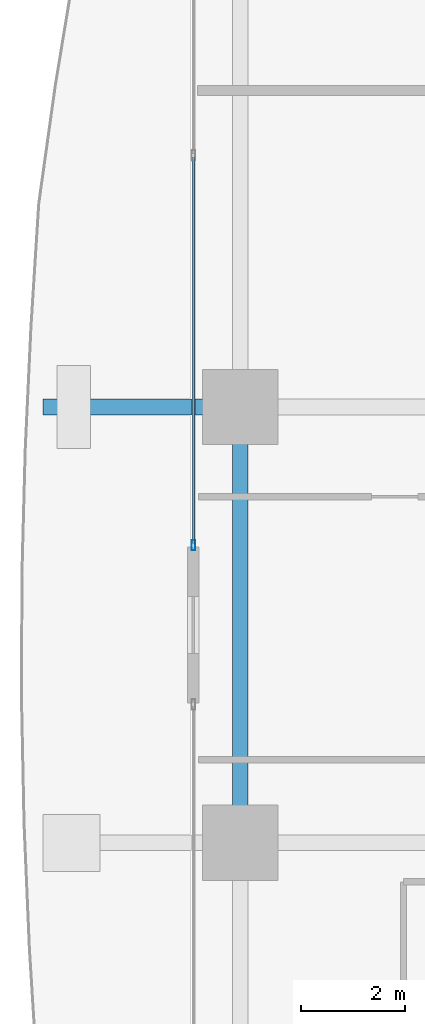
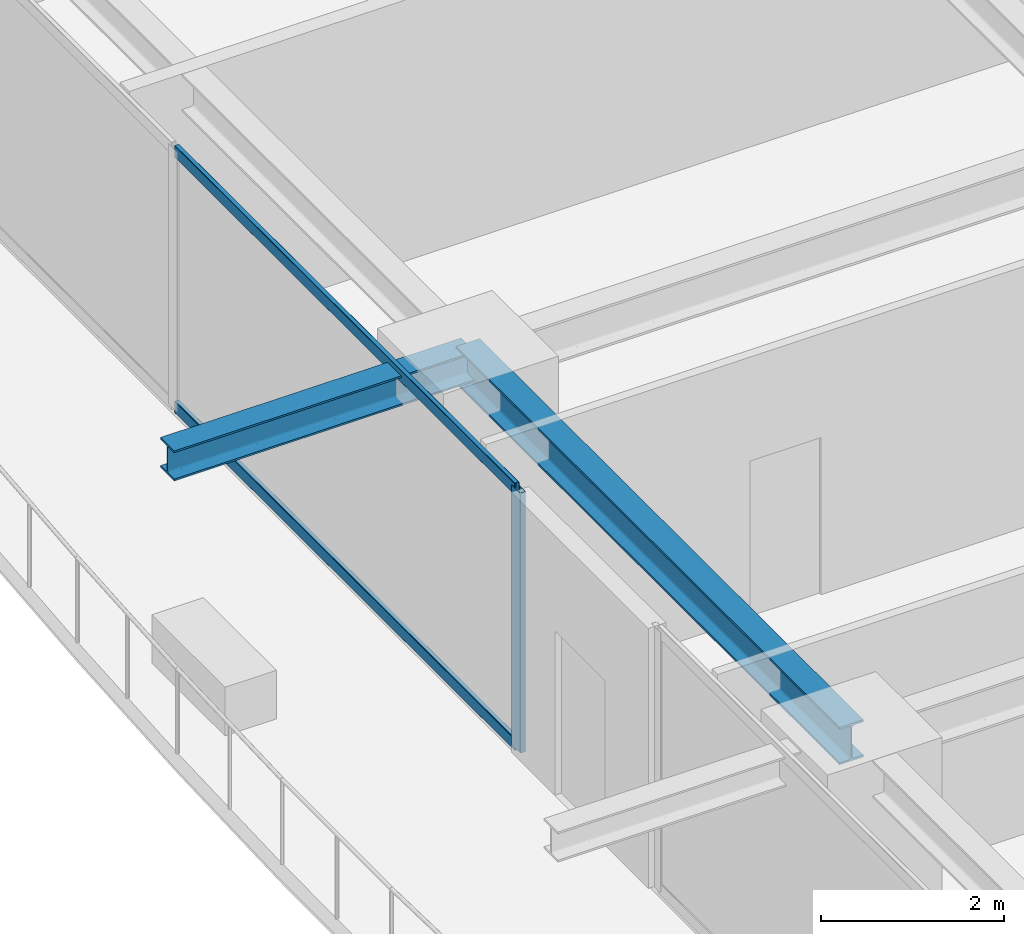
# One storey, part 8 of 36: 3 members, 2 beams, 1 element without a shape of its own.
"""IFC4 building model written with IfcOpenShell, lengths in metres."""

from ifc_helpers import new_model, si_unit, direction, frame, origin, origin_2d, place, context, subcontext, project, spatial, hollow_rectangle, i_section, extrude, source, transform, mapped, material, layer, layer_set, material_profile, profile_set, type_object, element, aggregate, save


model = new_model("IFC4")

# Units and contexts
model_context = context("Model", 3, precision=1e-05, world=origin(), true_north=direction((0.0, 1.0)))
body_context = subcontext(model_context, "Body", "Model", "MODEL_VIEW")
ifc_project = project(units=[si_unit("LENGTHUNIT", "METRE"), si_unit("AREAUNIT", "SQUARE_METRE"), si_unit("VOLUMEUNIT", "CUBIC_METRE"), si_unit("PLANEANGLEUNIT", "RADIAN"), si_unit("MASSUNIT", "GRAM", prefix="KILO")], contexts=[model_context])

# Site, building, storey
site_placement = place(None, origin())
site = spatial("IfcSite", under=ifc_project, at=site_placement, CompositionType="ELEMENT")
building_placement = place(site_placement, origin())
building = spatial("IfcBuilding", under=site, at=building_placement, Name="Serunith Strait Residences", CompositionType="ELEMENT")
storey_placement = place(building_placement, frame((0.0, 0.0, 41.699951171875)))
storey = spatial("IfcBuildingStorey", under=building, at=storey_placement, Name="L09", CompositionType="ELEMENT", Elevation=41.699951171875)

# Beams
ifc_material_1 = material(Name="Steel S355J2", Category="steel")
ifc_material_profile_1 = material_profile(ifc_material_1, i_section(OverallWidth=0.300048828125, OverallDepth=0.5, WebThickness=0.014404296875, FlangeThickness=0.028076171875, FilletRadius=0.027099609375, at=origin_2d()), Name="HEB 500")
ifc_profile_set_1 = profile_set([ifc_material_profile_1], Name="Steel S355J2")
beam_type_1 = type_object("IfcBeamType", Name="BM-HEB500", PredefinedType="BEAM", material=ifc_profile_set_1)
shared_shape_1 = source(origin(), body_context, "Body", "SweptSolid", [
    extrude(i_section(OverallWidth=0.300048828125, OverallDepth=0.5, WebThickness=0.014404296875, FlangeThickness=0.028076171875, FilletRadius=0.027099609375, at=origin_2d()), origin(), (0.0, 0.0, 1.0), 8.39990234375),
])
beam_1_placement = place(storey_placement, frame((6.89990234375, 29.39990234375, 3.237060546875), z_axis=(0.0, -1.0, 0.0), x_axis=(1.0, 0.0, 0.0)))
element("IfcBeam", 1, at=beam_1_placement, inside=storey, type_object=beam_type_1, Name="L09 Perimeter Ring Beam 14", PredefinedType="BEAM", context=body_context, shape_type="MappedRepresentation", body=[
    mapped(shared_shape_1, transform((0.0, 0.0, 0.0), scale=1.0)),
])
ifc_material_profile_2 = material_profile(ifc_material_1, i_section(OverallWidth=0.300048828125, OverallDepth=0.39990234375, WebThickness=0.013427734375, FlangeThickness=0.02392578125, FilletRadius=0.027099609375, at=origin_2d()), Name="HEB 400")
ifc_profile_set_2 = profile_set([ifc_material_profile_2], Name="Steel S355J2")
beam_type_2 = type_object("IfcBeamType", Name="BM-HEB400", PredefinedType="BEAM", material=ifc_profile_set_2)
shared_shape_2 = source(origin(), body_context, "Body", "SweptSolid", [
    extrude(i_section(OverallWidth=0.300048828125, OverallDepth=0.39990234375, WebThickness=0.013427734375, FlangeThickness=0.02392578125, FilletRadius=0.027099609375, at=origin_2d()), origin(), (0.0, 0.0, 1.0), 3.7998046875),
])
beam_2_placement = place(storey_placement, frame((6.89990234375, 29.39990234375, 3.257080078125), z_axis=(-1.0, 0.0, 0.0), x_axis=(0.0, -1.0, 0.0)))
element("IfcBeam", 2, at=beam_2_placement, inside=storey, type_object=beam_type_2, Name="L10 Cantilevered Balcony Rib TC-W3", PredefinedType="BEAM", context=body_context, shape_type="MappedRepresentation", body=[
    mapped(shared_shape_2, transform((0.0, 0.0, 0.0), scale=1.0)),
])

# Curtain wall, members
ifc_material_2 = material(Name="Pale-Champagne Anodised Aluminium", Category="aluminium")
ifc_layer = layer(ifc_material_2, 0.199951171875, Name="Pale-Champagne Anodised Aluminium")
ifc_layer_set = layer_set([ifc_layer], Name="Pale-Champagne Anodised Aluminium")
curtain_wall_type = type_object("IfcCurtainWallType", Name="CW-SYS1", PredefinedType="NOTDEFINED", material=ifc_layer_set)
curtain_wall_placement = place(storey_placement, origin())
curtain_wall = element("IfcCurtainWall", 3, at=curtain_wall_placement, inside=storey, type_object=curtain_wall_type, Name="L09 W Unitised Fritted Curtain Wall", PredefinedType="NOTDEFINED")
ifc_material_profile_3 = material_profile(ifc_material_2, hollow_rectangle(XDim=0.070068359375, YDim=0.199951171875, WallThickness=0.00390625, InnerFilletRadius=0.006103515625, OuterFilletRadius=0.010009765625, at=origin_2d()), Name="ALU 200x70x4")
ifc_profile_set_3 = profile_set([ifc_material_profile_3], Name="Pale-Champagne Anodised Aluminium")
member_type_1 = type_object("IfcMemberType", Name="CW-SYS1-MULL", PredefinedType="MULLION", material=ifc_profile_set_3)
shared_shape_3 = source(origin(), body_context, "Body", "SweptSolid", [
    extrude(hollow_rectangle(XDim=0.070068359375, YDim=0.199951171875, WallThickness=0.00390625, InnerFilletRadius=0.006103515625, OuterFilletRadius=0.010009765625, at=origin_2d()), origin(), (0.0, 0.0, 1.0), 3.47509765625),
])
member_1_placement = place(storey_placement, frame((6.0, 26.735107421875, 0.0), z_axis=(0.0, 0.0, 1.0), x_axis=(1.0, 0.0, 0.0)))
member_1 = element("IfcMember", 4, at=member_1_placement, type_object=member_type_1, Name="CW-1 mullion 3", PredefinedType="MULLION", context=body_context, shape_type="MappedRepresentation", body=[
    mapped(shared_shape_3, transform((0.0, 0.0, 0.0), scale=1.0)),
])
ifc_material_profile_4 = material_profile(ifc_material_2, hollow_rectangle(XDim=0.06005859375, YDim=0.159912109375, WallThickness=0.00341796875, InnerFilletRadius=0.00537109375, OuterFilletRadius=0.0087890625, at=origin_2d()), Name="ALU 160x60x3.5")
ifc_profile_set_4 = profile_set([ifc_material_profile_4], Name="Pale-Champagne Anodised Aluminium")
member_type_2 = type_object("IfcMemberType", Name="CW-SYS1-TRAN", PredefinedType="USERDEFINED", material=ifc_profile_set_4)
shared_shape_4 = source(origin(), body_context, "Body", "SweptSolid", [
    extrude(hollow_rectangle(XDim=0.06005859375, YDim=0.159912109375, WallThickness=0.00341796875, InnerFilletRadius=0.00537109375, OuterFilletRadius=0.0087890625, at=origin_2d()), origin(), (0.0, 0.0, 1.0), 7.445068359375),
])
member_2_placement = place(storey_placement, frame((6.0, 34.215087890625, 0.030029296875), z_axis=(0.0, -1.0, 0.0), x_axis=(1.0, 0.0, 0.0)))
member_2 = element("IfcMember", 5, at=member_2_placement, type_object=member_type_2, Name="CW-1 transom 2.1", ObjectType="TRANSOM", PredefinedType="USERDEFINED", context=body_context, shape_type="MappedRepresentation", body=[
    mapped(shared_shape_4, transform((0.0, 0.0, 0.0), scale=1.0)),
])
member_3_placement = place(storey_placement, frame((6.0, 34.215087890625, 3.445068359375), z_axis=(0.0, -1.0, 0.0), x_axis=(1.0, 0.0, 0.0)))
member_3 = element("IfcMember", 6, at=member_3_placement, type_object=member_type_2, Name="CW-1 transom 2.2", ObjectType="TRANSOM", PredefinedType="USERDEFINED", context=body_context, shape_type="MappedRepresentation", body=[
    mapped(shared_shape_4, transform((0.0, 0.0, 0.0), scale=1.0)),
])
aggregate(curtain_wall, [member_1, member_2, member_3])

save(model, "model.ifc")
